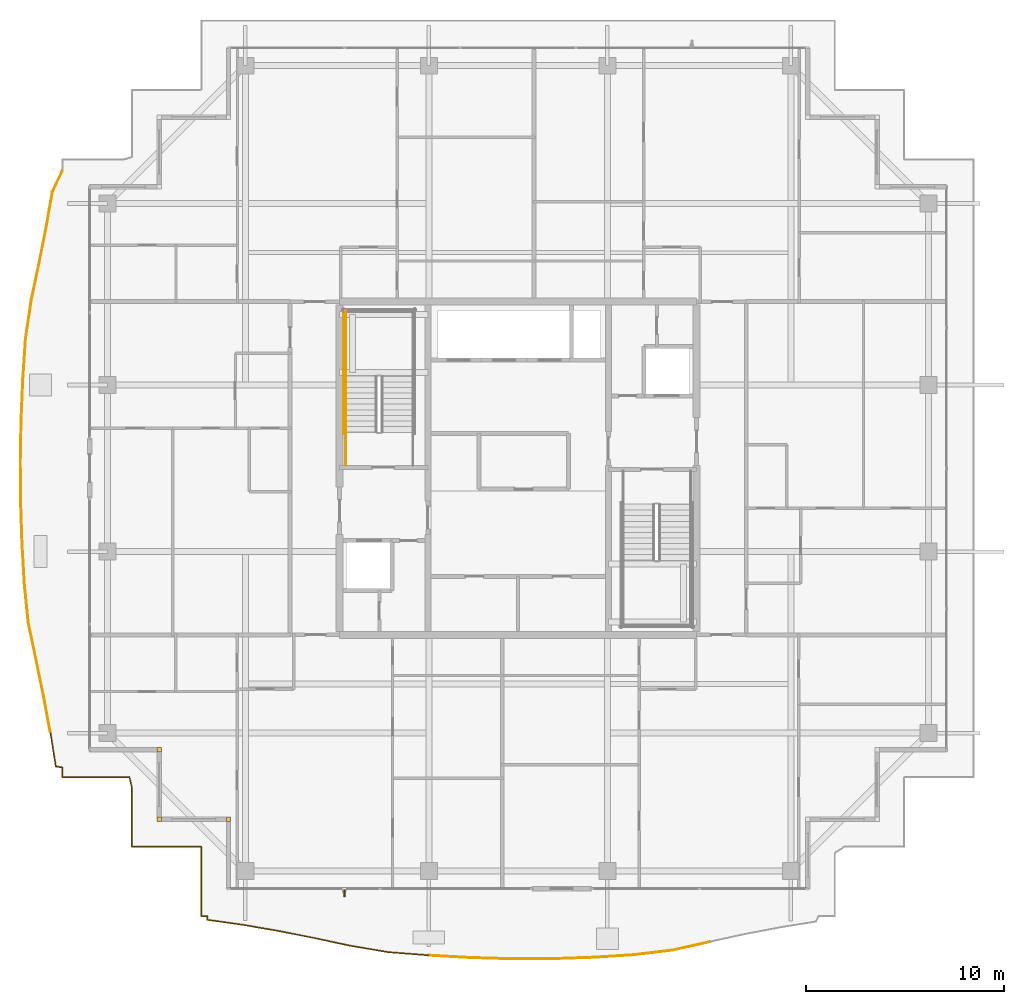
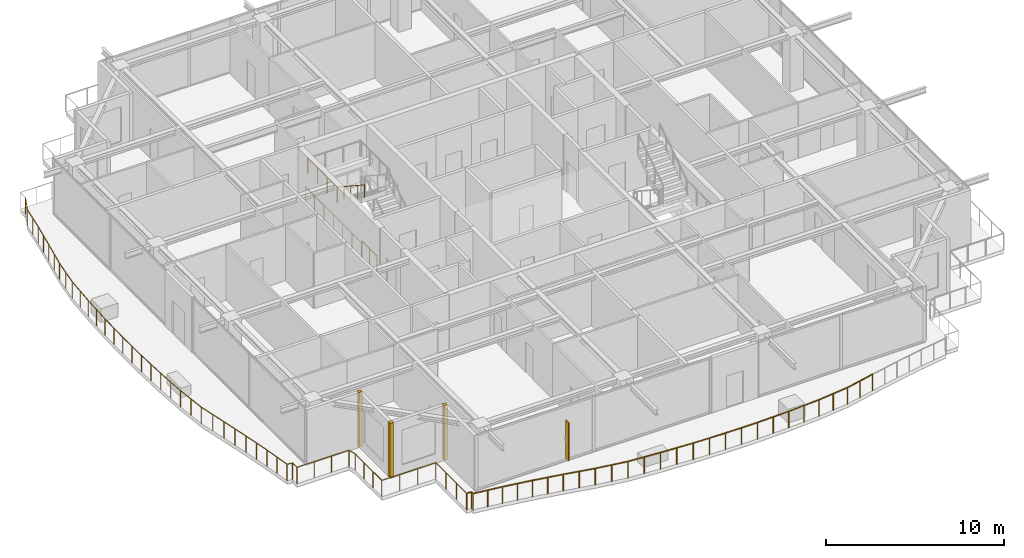
# One storey, part 32 of 36: 9 railings, 3 coverings, 1 shading device.
"""IFC4 building model written with IfcOpenShell, lengths in metres."""

import ifcopenshell
import ifcopenshell.guid

model = None  # the IFC model being written
_history = None  # IfcOwnerHistory: only IFC2X3 demands one
_inside = {}  # id of a spatial element -> (the spatial element, [elements in it])
_under = {}  # id of a project, library or spatial element -> (it, [spatial elements below it])
_declared = {}  # id of a project -> (the project, [libraries it declares])
_typed = {}  # id of a type object -> (the type object, [elements of that type])
_made_of = {}  # id of a material, layer set ... -> (it, [elements and type objects made of it])


def new_model(schema):
    """Start an empty IFC model of exactly this schema.

    Asked for "IFC4X3", IfcOpenShell would pick the latest addendum, in which some entities
    have other attributes; the version numbers below select the first issue.
    IFC2X3 requires an IfcOwnerHistory on every rooted entity: one is made here for all.
    """
    global model, _history
    if schema == "IFC4X3":
        model = ifcopenshell.file(schema_version=(4, 3, 0, 0))
    else:
        model = ifcopenshell.file(schema=schema)
    _inside.clear()
    _under.clear()
    _declared.clear()
    _typed.clear()
    _made_of.clear()
    _history = None
    if model.schema == "IFC2X3":
        org = make("IfcOrganization", Name="unknown")
        user = make(
            "IfcPersonAndOrganization",
            ThePerson=make("IfcPerson", FamilyName="unknown"),
            TheOrganization=org,
        )
        app = make(
            "IfcApplication",
            ApplicationDeveloper=org,
            Version="unknown",
            ApplicationFullName="unknown",
            ApplicationIdentifier="unknown",
        )
        _history = make(
            "IfcOwnerHistory",
            OwningUser=user,
            OwningApplication=app,
            ChangeAction="ADDED",
            CreationDate=0,
        )
    return model


def make(cls, **values):
    """One entity of the class cls with the attributes given. An attribute that is None is left unset."""
    return model.create_entity(
        cls, **{name: value for name, value in values.items() if value is not None}
    )


def rooted(cls, **values):
    """An entity with a GlobalId (a new one), such as an element, a storey or a relation."""
    return make(cls, GlobalId=ifcopenshell.guid.new(), OwnerHistory=_history, **values)


def si_unit(unit_type, name, prefix=None):
    """IfcSIUnit, for example si_unit("LENGTHUNIT", "METRE", prefix="MILLI")."""
    return make("IfcSIUnit", UnitType=unit_type, Prefix=prefix, Name=name)


def assignment(units):
    """IfcUnitAssignment: the units of a project."""
    return None if units is None else make("IfcUnitAssignment", Units=units)


def point(xyz):
    """IfcCartesianPoint."""
    return None if xyz is None else make("IfcCartesianPoint", Coordinates=xyz)


def direction(xyz):
    """IfcDirection."""
    return None if xyz is None else make("IfcDirection", DirectionRatios=xyz)


def frame(location, z_axis=None, x_axis=None):
    """IfcAxis2Placement3D, a coordinate frame: its origin and axes. An axis left out is left unset."""
    return make(
        "IfcAxis2Placement3D",
        Location=point(location),
        Axis=direction(z_axis),
        RefDirection=direction(x_axis),
    )


def frame_2d(location, x_axis=None):
    """IfcAxis2Placement2D, a coordinate frame in the plane: its origin and x axis."""
    return make(
        "IfcAxis2Placement2D", Location=point(location), RefDirection=direction(x_axis)
    )


def origin():
    """The frame at (0, 0, 0) with its axes left unset."""
    return frame((0.0, 0.0, 0.0))


def origin_2d():
    """The frame at (0, 0) in the plane with its x axis left unset."""
    return frame_2d((0.0, 0.0))


def place(relative_to, where):
    """IfcLocalPlacement: puts the frame where relative to a parent placement (None: the world)."""
    return make(
        "IfcLocalPlacement", PlacementRelTo=relative_to, RelativePlacement=where
    )


def context(
    kind, dimensions, precision=None, world=None, true_north=None, identifier=None
):
    """IfcGeometricRepresentationContext, for example the 3D "Model" context."""
    return make(
        "IfcGeometricRepresentationContext",
        ContextIdentifier=identifier,
        ContextType=kind,
        CoordinateSpaceDimension=dimensions,
        Precision=precision,
        WorldCoordinateSystem=world,
        TrueNorth=true_north,
    )


def subcontext(parent, identifier, kind, view, scale=None):
    """IfcGeometricRepresentationSubContext, for example "Body" below "Model"."""
    return make(
        "IfcGeometricRepresentationSubContext",
        ContextIdentifier=identifier,
        ContextType=kind,
        ParentContext=parent,
        TargetScale=scale,
        TargetView=view,
    )


def project(units=None, contexts=None):
    """IfcProject with its units and contexts."""
    return rooted(
        "IfcProject",
        Name="project",
        RepresentationContexts=contexts,
        UnitsInContext=assignment(units),
    )


def spatial(cls, under=None, at=None, **own):
    """A site, building, storey or space (cls), placed at a placement, below another one or the project."""
    s = rooted(cls, ObjectPlacement=at, **own)
    if under is not None:
        _under.setdefault(under.id(), (under, []))[1].append(s)
    return s


def profile(cls, at=None, kind="AREA", **sizes):
    """A parametric profile (cls). Its sizes go by their IFC names, for example OverallWidth=200.0."""
    return make(cls, ProfileType=kind, Position=at, **sizes)


def rectangle(**sizes):
    """IfcRectangleProfileDef."""
    return profile("IfcRectangleProfileDef", **sizes)


def circle(**sizes):
    """IfcCircleProfileDef."""
    return profile("IfcCircleProfileDef", **sizes)


def extrude(swept, where, along, depth):
    """IfcExtrudedAreaSolid: the profile swept, set in the frame where, extruded along a direction by depth."""
    return make(
        "IfcExtrudedAreaSolid",
        SweptArea=swept,
        Position=where,
        ExtrudedDirection=direction(along),
        Depth=depth,
    )


def shape(context_of_items, identifier, shape_type, items):
    """IfcShapeRepresentation: the items that make up one representation, for example the "Body"."""
    return make(
        "IfcShapeRepresentation",
        ContextOfItems=context_of_items,
        RepresentationIdentifier=identifier,
        RepresentationType=shape_type,
        Items=items,
    )


def source(mapping_origin, context_of_items, identifier, shape_type, items):
    """IfcRepresentationMap: a shape defined once, which mapped items show again and again."""
    return make(
        "IfcRepresentationMap",
        MappingOrigin=mapping_origin,
        MappedRepresentation=shape(context_of_items, identifier, shape_type, items),
    )


def transform(
    local_origin,
    x_axis=None,
    y_axis=None,
    z_axis=None,
    scale=None,
    scale2=None,
    scale3=None,
    uniform=True,
):
    """IfcCartesianTransformationOperator3D, or its non-uniform kind. x_axis, y_axis, z_axis: its Axis1, 2, 3."""
    if uniform:
        return make(
            "IfcCartesianTransformationOperator3D",
            Axis1=direction(x_axis),
            Axis2=direction(y_axis),
            LocalOrigin=point(local_origin),
            Scale=scale,
            Axis3=direction(z_axis),
        )
    return make(
        "IfcCartesianTransformationOperator3DnonUniform",
        Axis1=direction(x_axis),
        Axis2=direction(y_axis),
        LocalOrigin=point(local_origin),
        Scale=scale,
        Axis3=direction(z_axis),
        Scale2=scale2,
        Scale3=scale3,
    )


def mapped(mapping_source, mapping_target):
    """IfcMappedItem: shows the shape of a source again, moved by a transform."""
    return make(
        "IfcMappedItem", MappingSource=mapping_source, MappingTarget=mapping_target
    )


def material(Name=None, Category=None):
    """IfcMaterial."""
    return make("IfcMaterial", Name=Name, Category=Category)


def layer(
    of_material, thickness, ventilated=None, Name=None, Category=None, Priority=None
):
    """IfcMaterialLayer: one layer of a wall or slab, of a material (None: an air gap)."""
    return make(
        "IfcMaterialLayer",
        Material=of_material,
        LayerThickness=thickness,
        IsVentilated=ventilated,
        Name=Name,
        Category=Category,
        Priority=Priority,
    )


def layer_set(layers, Name=None):
    """IfcMaterialLayerSet."""
    return make("IfcMaterialLayerSet", MaterialLayers=layers, LayerSetName=Name)


def made_of(thing, what):
    """Note that an element or type object is made of a material, layer set ...; save() writes the relation."""
    if what is not None:
        _made_of.setdefault(what.id(), (what, []))[1].append(thing)
    return thing


def type_object(cls, material=None, **own):
    """A type object (cls), such as IfcWallType, which elements share."""
    return made_of(rooted(cls, **own), material)


def element(
    cls,
    number,
    at=None,
    inside=None,
    cuts=None,
    type_object=None,
    material=None,
    context=None,
    identifier="Body",
    shape_type=None,
    held_by="IfcProductDefinitionShape",
    body=None,
    shapes=None,
    **own,
):
    """One element of the class cls, such as IfcWall. Its Tag is "e" and its number.

    at: its placement. inside: the storey or other place that contains it. cuts: it is an
    opening in that element (IfcRelVoidsElement). A single representation is given by context,
    identifier, shape_type and body (its items); several are given by shapes. held_by: the class
    of the entity that holds the representations. save() writes the other relations.
    """
    e = rooted(cls, Tag="e%d" % number, ObjectPlacement=at, **own)
    if body is not None:
        shapes = [shape(context, identifier, shape_type, body)]
    if shapes is not None:
        e.Representation = make(held_by, Representations=shapes)
    if inside is not None:
        _inside.setdefault(inside.id(), (inside, []))[1].append(e)
    if cuts is not None:
        rooted(
            "IfcRelVoidsElement", RelatingBuildingElement=cuts, RelatedOpeningElement=e
        )
    if type_object is not None:
        _typed.setdefault(type_object.id(), (type_object, []))[1].append(e)
    return made_of(e, material)


def aggregate(whole, parts):
    """IfcRelAggregates: a whole, such as a stair, and the parts it consists of."""
    return rooted("IfcRelAggregates", RelatingObject=whole, RelatedObjects=parts)


def save(model, path):
    """Write the relations noted so far, then the file.

    IfcRelAggregates (storeys below a building ...), IfcRelContainedInSpatialStructure (elements
    in a storey), IfcRelDefinesByType, IfcRelAssociatesMaterial and IfcRelDeclares: one each for
    every whole, place, type object, material and project.
    """
    for whole, parts in _under.values():
        aggregate(whole, parts)
    for where, things in _inside.values():
        rooted(
            "IfcRelContainedInSpatialStructure",
            RelatedElements=things,
            RelatingStructure=where,
        )
    for kind, things in _typed.values():
        rooted("IfcRelDefinesByType", RelatedObjects=things, RelatingType=kind)
    for what, things in _made_of.values():
        rooted("IfcRelAssociatesMaterial", RelatedObjects=things, RelatingMaterial=what)
    for by, libraries in _declared.values():
        rooted("IfcRelDeclares", RelatingContext=by, RelatedDefinitions=libraries)
    model.write(path)


model = new_model("IFC4")

# Units and contexts
model_context = context("Model", 3, precision=1e-05, world=origin(), true_north=direction((0.0, 1.0)))
body_context = subcontext(model_context, "Body", "Model", "MODEL_VIEW")
ifc_project = project(units=[si_unit("LENGTHUNIT", "METRE"), si_unit("AREAUNIT", "SQUARE_METRE"), si_unit("VOLUMEUNIT", "CUBIC_METRE"), si_unit("PLANEANGLEUNIT", "RADIAN"), si_unit("MASSUNIT", "GRAM", prefix="KILO")], contexts=[model_context])

# Site, building, storey
site_placement = place(None, origin())
site = spatial("IfcSite", under=ifc_project, at=site_placement, CompositionType="ELEMENT")
building_placement = place(site_placement, origin())
building = spatial("IfcBuilding", under=site, at=building_placement, Name="Serunith Strait Residences", CompositionType="ELEMENT")
storey_placement = place(building_placement, frame((0.0, 0.0, 338.0)))
storey = spatial("IfcBuildingStorey", under=building, at=storey_placement, Name="L84", CompositionType="ELEMENT", Elevation=338.0)

# Railings
ifc_material_1 = material(Name="Stainless Steel & Laminated Glass Balustrade", Category="steel")
railing_type_1 = type_object("IfcRailingType", Name="RLG-BALC-1150", PredefinedType="BALUSTRADE", material=ifc_material_1)
railing_1_placement = place(storey_placement, frame((16.419921875, 2.6201171875, -0.050048828125)))
element("IfcRailing", 1, at=railing_1_placement, inside=storey, type_object=railing_type_1, Name="L84 Swirling Balcony Perimeter Balustrade 1", PredefinedType="BALUSTRADE", context=body_context, shape_type="SweptSolid", body=[
    extrude(circle(Radius=0.02392578125, at=origin_2d()), frame((0.0, 0.001953125, 1.1259765625), z_axis=(0.0, 1.0, 0.0), x_axis=(-1.0, 0.0, 0.0)), (0.0, 0.0, 1.0), 3.49609375),
    extrude(circle(Radius=0.02392578125, at=origin_2d()), frame((-0.001953125, 3.5, 1.1259765625), z_axis=(-1.0, 0.0, 0.0), x_axis=(0.0, -1.0, 0.0)), (0.0, 0.0, 1.0), 3.49609375),
    extrude(circle(Radius=0.02392578125, at=origin_2d()), frame((-3.5, 3.501953125, 1.1259765625), z_axis=(0.0, 1.0, 0.0), x_axis=(-1.0, 0.0, 0.0)), (0.0, 0.0, 1.0), 2.99853515625),
    extrude(circle(Radius=0.02392578125, at=origin_2d()), frame((-3.50048828125, 6.50439453125, 1.1259765625), z_axis=(-0.234671616737, 0.972074705101, 0.0), x_axis=(-0.972074705101, -0.234671616737, 0.0)), (0.0, 0.0, 1.0), 0.5078125),
    extrude(circle(Radius=0.02392578125, at=origin_2d()), frame((-3.6220703125, 7.0, 1.1259765625), z_axis=(-1.0, 0.0, 0.0), x_axis=(0.0, -1.0, 0.0)), (0.0, 0.0, 1.0), 3.3759765625),
    extrude(circle(Radius=0.02392578125, at=origin_2d()), frame((-7.0, 7.001953125, 1.1259765625), z_axis=(0.0, 1.0, 0.0), x_axis=(-1.0, 0.0, 0.0)), (0.0, 0.0, 1.0), 0.489501953125),
    extrude(circle(Radius=0.02392578125, at=origin_2d()), frame((-7.001953125, 7.49365234375, 1.1259765625), z_axis=(-0.989343719275, 0.14559878135, 0.0), x_axis=(-0.14559878135, -0.989343719275, 0.0)), (0.0, 0.0, 1.0), 0.331298828125),
    extrude(circle(Radius=0.02392578125, at=origin_2d()), frame((-7.33203125, 7.544189453125, 1.1259765625), z_axis=(-0.156074665406, 0.987745260084, 0.0), x_axis=(-0.987745260084, -0.156074665406, 0.0)), (0.0, 0.0, 1.0), 1.785400390625),
    extrude(circle(Radius=0.02099609375, at=origin_2d()), origin(), (0.0, 0.0, 1.0), 1.099853515625),
    extrude(circle(Radius=0.02099609375, at=origin_2d()), frame((0.0, 1.166748046875, 0.0)), (0.0, 0.0, 1.0), 1.099853515625),
    extrude(circle(Radius=0.02099609375, at=origin_2d()), frame((0.0, 2.333251953125, 0.0)), (0.0, 0.0, 1.0), 1.099853515625),
    extrude(circle(Radius=0.02099609375, at=origin_2d()), frame((0.0, 3.5, 0.0)), (0.0, 0.0, 1.0), 1.099853515625),
    extrude(circle(Radius=0.02099609375, at=origin_2d()), frame((-1.166748046875, 3.5, 0.0)), (0.0, 0.0, 1.0), 1.099853515625),
    extrude(circle(Radius=0.02099609375, at=origin_2d()), frame((-2.333251953125, 3.5, 0.0)), (0.0, 0.0, 1.0), 1.099853515625),
    extrude(circle(Radius=0.02099609375, at=origin_2d()), frame((-3.5, 3.5, 0.0)), (0.0, 0.0, 1.0), 1.099853515625),
    extrude(circle(Radius=0.02099609375, at=origin_2d()), frame((-3.5, 4.500732421875, 0.0)), (0.0, 0.0, 1.0), 1.099853515625),
    extrude(circle(Radius=0.02099609375, at=origin_2d()), frame((-3.5, 5.501708984375, 0.0)), (0.0, 0.0, 1.0), 1.099853515625),
    extrude(circle(Radius=0.02099609375, at=origin_2d()), frame((-3.5, 6.50244140625, 0.0)), (0.0, 0.0, 1.0), 1.099853515625),
    extrude(circle(Radius=0.02099609375, at=origin_2d()), frame((-3.6201171875, 7.0, 0.0)), (0.0, 0.0, 1.0), 1.099853515625),
    extrude(circle(Radius=0.02099609375, at=origin_2d()), frame((-4.746826171875, 7.0, 0.0)), (0.0, 0.0, 1.0), 1.099853515625),
    extrude(circle(Radius=0.02099609375, at=origin_2d()), frame((-5.873291015625, 7.0, 0.0)), (0.0, 0.0, 1.0), 1.099853515625),
    extrude(circle(Radius=0.02099609375, at=origin_2d()), frame((-7.0, 7.0, 0.0)), (0.0, 0.0, 1.0), 1.099853515625),
    extrude(circle(Radius=0.02099609375, at=origin_2d()), frame((-7.0, 7.493408203125, 0.0)), (0.0, 0.0, 1.0), 1.099853515625),
    extrude(circle(Radius=0.02099609375, at=origin_2d()), frame((-7.331787109375, 7.542236328125, 0.0)), (0.0, 0.0, 1.0), 1.099853515625),
    extrude(circle(Radius=0.02099609375, at=origin_2d()), frame((-7.471435546875, 8.426025390625, 0.0)), (0.0, 0.0, 1.0), 1.099853515625),
    extrude(circle(Radius=0.02099609375, at=origin_2d()), frame((-7.611083984375, 9.309814453125, 0.0)), (0.0, 0.0, 1.0), 1.099853515625),
])
railing_2_placement = place(storey_placement, frame((8.808837890625, 11.929931640625, -0.050048828125)))
element("IfcRailing", 2, at=railing_2_placement, inside=storey, type_object=railing_type_1, Name="L84 Swirling Balcony Perimeter Balustrade 2", PredefinedType="BALUSTRADE", context=body_context, shape_type="SweptSolid", body=[
    extrude(circle(Radius=0.02392578125, at=origin_2d()), frame((-0.000244140625, 0.001953125, 1.1259765625), z_axis=(-0.182829465065, 0.983144641802, 0.0), x_axis=(-0.983144641802, -0.182829465065, 0.0)), (0.0, 0.0, 1.0), 1.814697265625),
    extrude(circle(Radius=0.02392578125, at=origin_2d()), frame((-0.3330078125, 1.7900390625, 1.1259765625), z_axis=(-0.201150365984, 0.979560376018, 0.0), x_axis=(-0.979560376018, -0.201150365984, 0.0)), (0.0, 0.0, 1.0), 1.8603515625),
    extrude(circle(Radius=0.02392578125, at=origin_2d()), frame((-0.7080078125, 3.6162109375, 1.1259765625), z_axis=(-0.204775470098, 0.978808973624, 0.0), x_axis=(-0.978808973624, -0.204775470098, 0.0)), (0.0, 0.0, 1.0), 1.919189453125),
    extrude(circle(Radius=0.02392578125, at=origin_2d()), frame((-1.1015625, 5.49853515625, 1.1259765625), z_axis=(-0.099865899713, 0.995000905565, 0.0), x_axis=(-0.995000905565, -0.099865899713, 0.0)), (0.0, 0.0, 1.0), 1.998291015625),
    extrude(circle(Radius=0.02392578125, at=origin_2d()), frame((-1.30126953125, 7.49072265625, 1.1259765625), z_axis=(-0.056576301143, 0.998398278318, 0.0), x_axis=(-0.998398278318, -0.056576301143, 0.0)), (0.0, 0.0, 1.0), 2.037109375),
    extrude(circle(Radius=0.02392578125, at=origin_2d()), frame((-1.416748046875, 9.528564453125, 1.1259765625), z_axis=(-0.03281001008, 0.999461606686, 0.0), x_axis=(-0.999461606686, -0.03281001008, 0.0)), (0.0, 0.0, 1.0), 2.05712890625),
    extrude(circle(Radius=0.02392578125, at=origin_2d()), frame((-1.484375, 11.588623046875, 1.1259765625), z_axis=(-0.007428164353, 0.999972410807, 0.0), x_axis=(-0.999972410807, -0.007428164353, 0.0)), (0.0, 0.0, 1.0), 2.066650390625),
    extrude(circle(Radius=0.02099609375, at=origin_2d()), origin(), (0.0, 0.0, 1.0), 1.099853515625),
    extrude(circle(Radius=0.02099609375, at=origin_2d()), frame((-0.166259765625, 0.89404296875, 0.0)), (0.0, 0.0, 1.0), 1.099853515625),
    extrude(circle(Radius=0.02099609375, at=origin_2d()), frame((-0.33251953125, 1.7880859375, 0.0)), (0.0, 0.0, 1.0), 1.099853515625),
    extrude(circle(Radius=0.02099609375, at=origin_2d()), frame((-0.52001953125, 2.701171875, 0.0)), (0.0, 0.0, 1.0), 1.099853515625),
    extrude(circle(Radius=0.02099609375, at=origin_2d()), frame((-0.70751953125, 3.6142578125, 0.0)), (0.0, 0.0, 1.0), 1.099853515625),
    extrude(circle(Radius=0.02099609375, at=origin_2d()), frame((-0.904296875, 4.555419921875, 0.0)), (0.0, 0.0, 1.0), 1.099853515625),
    extrude(circle(Radius=0.02099609375, at=origin_2d()), frame((-1.101318359375, 5.49658203125, 0.0)), (0.0, 0.0, 1.0), 1.099853515625),
    extrude(circle(Radius=0.02099609375, at=origin_2d()), frame((-1.201171875, 6.49267578125, 0.0)), (0.0, 0.0, 1.0), 1.099853515625),
    extrude(circle(Radius=0.02099609375, at=origin_2d()), frame((-1.30126953125, 7.48876953125, 0.0)), (0.0, 0.0, 1.0), 1.099853515625),
    extrude(circle(Radius=0.02099609375, at=origin_2d()), frame((-1.35888671875, 8.5078125, 0.0)), (0.0, 0.0, 1.0), 1.099853515625),
    extrude(circle(Radius=0.02099609375, at=origin_2d()), frame((-1.416748046875, 9.526611328125, 0.0)), (0.0, 0.0, 1.0), 1.099853515625),
    extrude(circle(Radius=0.02099609375, at=origin_2d()), frame((-1.45068359375, 10.556640625, 0.0)), (0.0, 0.0, 1.0), 1.099853515625),
    extrude(circle(Radius=0.02099609375, at=origin_2d()), frame((-1.484375, 11.586669921875, 0.0)), (0.0, 0.0, 1.0), 1.099853515625),
    extrude(circle(Radius=0.02099609375, at=origin_2d()), frame((-1.4921875, 12.6220703125, 0.0)), (0.0, 0.0, 1.0), 1.099853515625),
    extrude(circle(Radius=0.02099609375, at=origin_2d()), frame((-1.499755859375, 13.6572265625, 0.0)), (0.0, 0.0, 1.0), 1.099853515625),
])
railing_3_placement = place(storey_placement, frame((7.30908203125, 25.587158203125, -0.050048828125)))
element("IfcRailing", 3, at=railing_3_placement, inside=storey, type_object=railing_type_1, Name="L84 Swirling Balcony Perimeter Balustrade 3", PredefinedType="BALUSTRADE", context=body_context, shape_type="SweptSolid", body=[
    extrude(circle(Radius=0.02392578125, at=origin_2d()), frame((0.0, 0.001953125, 1.1259765625), z_axis=(0.018296818521, 0.999832599204, 0.0), x_axis=(-0.999832599204, 0.018296818521, 0.0)), (0.0, 0.0, 1.0), 2.064208984375),
    extrude(circle(Radius=0.02392578125, at=origin_2d()), frame((0.037841796875, 2.06982421875, 1.1259765625), z_axis=(0.04290087302, 0.999079333734, 0.0), x_axis=(-0.999079333734, 0.04290087302, 0.0)), (0.0, 0.0, 1.0), 2.05029296875),
    extrude(circle(Radius=0.02392578125, at=origin_2d()), frame((0.126220703125, 4.122314453125, 1.1259765625), z_axis=(0.065162418282, 0.99787467111, 0.0), x_axis=(-0.99787467111, 0.065162418282, 0.0)), (0.0, 0.0, 1.0), 2.026611328125),
    extrude(circle(Radius=0.02392578125, at=origin_2d()), frame((0.258544921875, 6.148681640625, 1.1259765625), z_axis=(0.148528234096, 0.988908167464, 0.0), x_axis=(-0.988908167464, 0.148528234096, 0.0)), (0.0, 0.0, 1.0), 1.966796875),
    extrude(circle(Radius=0.02392578125, at=origin_2d()), frame((0.551513671875, 8.09765625, 1.1259765625), z_axis=(0.204857427418, 0.978791823848, 0.0), x_axis=(-0.978791823848, 0.204857427418, 0.0)), (0.0, 0.0, 1.0), 1.895751953125),
    extrude(circle(Radius=0.02392578125, at=origin_2d()), frame((0.940673828125, 9.95703125, 1.1259765625), z_axis=(0.194996623751, 0.980803913494, 0.0), x_axis=(-0.980803913494, 0.194996623751, 0.0)), (0.0, 0.0, 1.0), 1.841552734375),
    extrude(circle(Radius=0.02392578125, at=origin_2d()), frame((1.30029296875, 11.76708984375, 1.1259765625), z_axis=(0.172590146647, 0.984993726518, 0.0), x_axis=(-0.984993726518, 0.172590146647, 0.0)), (0.0, 0.0, 1.0), 1.802490234375),
    extrude(circle(Radius=0.02392578125, at=origin_2d()), frame((1.612548828125, 13.546142578125, 1.1259765625), z_axis=(0.424795915091, 0.905289141944, 0.0), x_axis=(-0.905289141944, 0.424795915091, 0.0)), (0.0, 0.0, 1.0), 1.170654296875),
    extrude(circle(Radius=0.02099609375, at=origin_2d()), origin(), (0.0, 0.0, 1.0), 1.099853515625),
    extrude(circle(Radius=0.02099609375, at=origin_2d()), frame((0.01904296875, 1.033935546875, 0.0)), (0.0, 0.0, 1.0), 1.099853515625),
    extrude(circle(Radius=0.02099609375, at=origin_2d()), frame((0.037841796875, 2.06787109375, 0.0)), (0.0, 0.0, 1.0), 1.099853515625),
    extrude(circle(Radius=0.02099609375, at=origin_2d()), frame((0.08203125, 3.09423828125, 0.0)), (0.0, 0.0, 1.0), 1.099853515625),
    extrude(circle(Radius=0.02099609375, at=origin_2d()), frame((0.1259765625, 4.120361328125, 0.0)), (0.0, 0.0, 1.0), 1.099853515625),
    extrude(circle(Radius=0.02099609375, at=origin_2d()), frame((0.192138671875, 5.133544921875, 0.0)), (0.0, 0.0, 1.0), 1.099853515625),
    extrude(circle(Radius=0.02099609375, at=origin_2d()), frame((0.25830078125, 6.146728515625, 0.0)), (0.0, 0.0, 1.0), 1.099853515625),
    extrude(circle(Radius=0.02099609375, at=origin_2d()), frame((0.40478515625, 7.12109375, 0.0)), (0.0, 0.0, 1.0), 1.099853515625),
    extrude(circle(Radius=0.02099609375, at=origin_2d()), frame((0.551025390625, 8.095703125, 0.0)), (0.0, 0.0, 1.0), 1.099853515625),
    extrude(circle(Radius=0.02099609375, at=origin_2d()), frame((0.74560546875, 9.025390625, 0.0)), (0.0, 0.0, 1.0), 1.099853515625),
    extrude(circle(Radius=0.02099609375, at=origin_2d()), frame((0.940185546875, 9.955078125, 0.0)), (0.0, 0.0, 1.0), 1.099853515625),
    extrude(circle(Radius=0.02099609375, at=origin_2d()), frame((1.1201171875, 10.860107421875, 0.0)), (0.0, 0.0, 1.0), 1.099853515625),
    extrude(circle(Radius=0.02099609375, at=origin_2d()), frame((1.300048828125, 11.76513671875, 0.0)), (0.0, 0.0, 1.0), 1.099853515625),
    extrude(circle(Radius=0.02099609375, at=origin_2d()), frame((1.4560546875, 12.65478515625, 0.0)), (0.0, 0.0, 1.0), 1.099853515625),
    extrude(circle(Radius=0.02099609375, at=origin_2d()), frame((1.61181640625, 13.54443359375, 0.0)), (0.0, 0.0, 1.0), 1.099853515625),
    extrude(circle(Radius=0.02099609375, at=origin_2d()), frame((2.11083984375, 14.60791015625, 0.0)), (0.0, 0.0, 1.0), 1.099853515625),
])
railing_4_placement = place(storey_placement, frame((42.067626953125, 1.321533203125, -0.050048828125)))
element("IfcRailing", 4, at=railing_4_placement, inside=storey, type_object=railing_type_1, Name="L84 Swirling Balcony Perimeter Balustrade 7", PredefinedType="BALUSTRADE", context=body_context, shape_type="SweptSolid", body=[
    extrude(circle(Radius=0.02392578125, at=origin_2d()), frame((-0.001953125, -0.00048828125, 1.1259765625), z_axis=(-0.975796593844, -0.218680148718, 0.0), x_axis=(0.218680148718, -0.975796593844, 0.0)), (0.0, 0.0, 1.0), 1.916259765625),
    extrude(circle(Radius=0.02392578125, at=origin_2d()), frame((-1.875732421875, -0.420166015625, 1.1259765625), z_axis=(-0.992949364336, -0.118539275624, 0.0), x_axis=(0.118539275624, -0.992949364336, 0.0)), (0.0, 0.0, 1.0), 1.997802734375),
    extrude(circle(Radius=0.02392578125, at=origin_2d()), frame((-3.863525390625, -0.657470703125, 1.1259765625), z_axis=(-0.998018110867, -0.062927342075, 0.0), x_axis=(0.062927342075, -0.998018110867, 0.0)), (0.0, 0.0, 1.0), 2.04443359375),
    extrude(circle(Radius=0.02392578125, at=origin_2d()), frame((-5.907958984375, -0.7861328125, 1.1259765625), z_axis=(-0.999459075505, -0.032887024657, 0.0), x_axis=(0.032887024657, -0.999459075505, 0.0)), (0.0, 0.0, 1.0), 2.067138671875),
    extrude(circle(Radius=0.02392578125, at=origin_2d()), frame((-7.97802734375, -0.854248046875, 1.1259765625), z_axis=(-0.999999442337, -0.001056089531, 0.0), x_axis=(0.001056089531, -0.999999442337, 0.0)), (0.0, 0.0, 1.0), 2.07666015625),
    extrude(circle(Radius=0.02392578125, at=origin_2d()), frame((-10.05859375, -0.8564453125, 1.1259765625), z_axis=(-0.999563984328, 0.029526957758, 0.0), x_axis=(-0.029526957758, -0.999563984328, 0.0)), (0.0, 0.0, 1.0), 2.0712890625),
    extrude(circle(Radius=0.02392578125, at=origin_2d()), frame((-12.133056640625, -0.795166015625, 1.1259765625), z_axis=(-0.998410298263, 0.056363785557, 0.0), x_axis=(-0.056363785557, -0.998410298263, 0.0)), (0.0, 0.0, 1.0), 2.053466796875),
    extrude(circle(Radius=0.02099609375, at=origin_2d()), origin(), (0.0, 0.0, 1.0), 1.099853515625),
    extrude(circle(Radius=0.02099609375, at=origin_2d()), frame((-0.93701171875, -0.2099609375, 0.0)), (0.0, 0.0, 1.0), 1.099853515625),
    extrude(circle(Radius=0.02099609375, at=origin_2d()), frame((-1.873779296875, -0.419921875, 0.0)), (0.0, 0.0, 1.0), 1.099853515625),
    extrude(circle(Radius=0.02099609375, at=origin_2d()), frame((-2.86767578125, -0.53857421875, 0.0)), (0.0, 0.0, 1.0), 1.099853515625),
    extrude(circle(Radius=0.02099609375, at=origin_2d()), frame((-3.861572265625, -0.6572265625, 0.0)), (0.0, 0.0, 1.0), 1.099853515625),
    extrude(circle(Radius=0.02099609375, at=origin_2d()), frame((-4.8837890625, -0.7216796875, 0.0)), (0.0, 0.0, 1.0), 1.099853515625),
    extrude(circle(Radius=0.02099609375, at=origin_2d()), frame((-5.906005859375, -0.7861328125, 0.0)), (0.0, 0.0, 1.0), 1.099853515625),
    extrude(circle(Radius=0.02099609375, at=origin_2d()), frame((-6.94091796875, -0.8203125, 0.0)), (0.0, 0.0, 1.0), 1.099853515625),
    extrude(circle(Radius=0.02099609375, at=origin_2d()), frame((-7.97607421875, -0.854248046875, 0.0)), (0.0, 0.0, 1.0), 1.099853515625),
    extrude(circle(Radius=0.02099609375, at=origin_2d()), frame((-9.016357421875, -0.85546875, 0.0)), (0.0, 0.0, 1.0), 1.099853515625),
    extrude(circle(Radius=0.02099609375, at=origin_2d()), frame((-10.056640625, -0.8564453125, 0.0)), (0.0, 0.0, 1.0), 1.099853515625),
    extrude(circle(Radius=0.02099609375, at=origin_2d()), frame((-11.09375, -0.82568359375, 0.0)), (0.0, 0.0, 1.0), 1.099853515625),
    extrude(circle(Radius=0.02099609375, at=origin_2d()), frame((-12.131103515625, -0.795166015625, 0.0)), (0.0, 0.0, 1.0), 1.099853515625),
    extrude(circle(Radius=0.02099609375, at=origin_2d()), frame((-13.158203125, -0.7373046875, 0.0)), (0.0, 0.0, 1.0), 1.099853515625),
    extrude(circle(Radius=0.02099609375, at=origin_2d()), frame((-14.185302734375, -0.67919921875, 0.0)), (0.0, 0.0, 1.0), 1.099853515625),
])
railing_5_placement = place(storey_placement, frame((27.88232421875, 0.642333984375, -0.050048828125)))
element("IfcRailing", 5, at=railing_5_placement, inside=storey, type_object=railing_type_1, Name="L84 Swirling Balcony Perimeter Balustrade 8", PredefinedType="BALUSTRADE", context=body_context, shape_type="SweptSolid", body=[
    extrude(circle(Radius=0.02392578125, at=origin_2d()), frame((-0.001953125, 0.000244140625, 1.1259765625), z_axis=(-0.996966809895, 0.077827886825, 0.0), x_axis=(-0.077827886825, -0.996966809895, 0.0)), (0.0, 0.0, 1.0), 2.025634765625),
    extrude(circle(Radius=0.02392578125, at=origin_2d()), frame((-2.025390625, 0.158203125, 1.1259765625), z_axis=(-0.986103588103, 0.166131615082, 0.0), x_axis=(-0.166131615082, -0.986103588103, 0.0)), (0.0, 0.0, 1.0), 1.960693359375),
    extrude(circle(Radius=0.02392578125, at=origin_2d()), frame((-3.962890625, 0.48486328125, 1.1259765625), z_axis=(-0.977817501997, 0.209458666062, 0.0), x_axis=(-0.209458666062, -0.977817501997, 0.0)), (0.0, 0.0, 1.0), 1.89013671875),
    extrude(circle(Radius=0.02392578125, at=origin_2d()), frame((-5.81494140625, 0.881591796875, 1.1259765625), z_axis=(-0.980936180604, 0.194330156131, 0.0), x_axis=(-0.194330156131, -0.980936180604, 0.0)), (0.0, 0.0, 1.0), 1.83642578125),
    extrude(circle(Radius=0.02392578125, at=origin_2d()), frame((-7.620361328125, 1.239013671875, 1.1259765625), z_axis=(-0.985719989355, 0.168392703482, 0.0), x_axis=(-0.168392703482, -0.985719989355, 0.0)), (0.0, 0.0, 1.0), 1.799560546875),
    extrude(circle(Radius=0.02392578125, at=origin_2d()), frame((-9.398193359375, 1.542724609375, 1.1259765625), z_axis=(-0.990291662119, 0.139005121982, 0.0), x_axis=(-0.139005121982, -0.990291662119, 0.0)), (0.0, 0.0, 1.0), 1.77880859375),
    extrude(circle(Radius=0.02392578125, at=origin_2d()), frame((-11.16162109375, 1.792236328125, 1.1259765625), z_axis=(0.007812261592, 0.999969483819, 0.0), x_axis=(-0.999969483819, 0.007812261592, 0.0)), (0.0, 0.0, 1.0), 0.18359375),
    extrude(circle(Radius=0.02392578125, at=origin_2d()), frame((-11.162109375, 1.977783203125, 1.1259765625), z_axis=(-1.0, 0.0, 0.0), x_axis=(0.0, -1.0, 0.0)), (0.0, 0.0, 1.0), 0.29833984375),
    extrude(circle(Radius=0.02099609375, at=origin_2d()), origin(), (0.0, 0.0, 1.0), 1.099853515625),
    extrude(circle(Radius=0.02099609375, at=origin_2d()), frame((-1.01171875, 0.0791015625, 0.0)), (0.0, 0.0, 1.0), 1.099853515625),
    extrude(circle(Radius=0.02099609375, at=origin_2d()), frame((-2.0234375, 0.157958984375, 0.0)), (0.0, 0.0, 1.0), 1.099853515625),
    extrude(circle(Radius=0.02099609375, at=origin_2d()), frame((-2.9921875, 0.3212890625, 0.0)), (0.0, 0.0, 1.0), 1.099853515625),
    extrude(circle(Radius=0.02099609375, at=origin_2d()), frame((-3.9609375, 0.484375, 0.0)), (0.0, 0.0, 1.0), 1.099853515625),
    extrude(circle(Radius=0.02099609375, at=origin_2d()), frame((-4.886962890625, 0.6826171875, 0.0)), (0.0, 0.0, 1.0), 1.099853515625),
    extrude(circle(Radius=0.02099609375, at=origin_2d()), frame((-5.81298828125, 0.881103515625, 0.0)), (0.0, 0.0, 1.0), 1.099853515625),
    extrude(circle(Radius=0.02099609375, at=origin_2d()), frame((-6.7158203125, 1.06005859375, 0.0)), (0.0, 0.0, 1.0), 1.099853515625),
    extrude(circle(Radius=0.02099609375, at=origin_2d()), frame((-7.618408203125, 1.23876953125, 0.0)), (0.0, 0.0, 1.0), 1.099853515625),
    extrude(circle(Radius=0.02099609375, at=origin_2d()), frame((-8.50732421875, 1.390625, 0.0)), (0.0, 0.0, 1.0), 1.099853515625),
    extrude(circle(Radius=0.02099609375, at=origin_2d()), frame((-9.396240234375, 1.54248046875, 0.0)), (0.0, 0.0, 1.0), 1.099853515625),
    extrude(circle(Radius=0.02099609375, at=origin_2d()), frame((-10.27880859375, 1.66650390625, 0.0)), (0.0, 0.0, 1.0), 1.099853515625),
    extrude(circle(Radius=0.02099609375, at=origin_2d()), frame((-11.16162109375, 1.790283203125, 0.0)), (0.0, 0.0, 1.0), 1.099853515625),
    extrude(circle(Radius=0.02099609375, at=origin_2d()), frame((-11.16015625, 1.977783203125, 0.0)), (0.0, 0.0, 1.0), 1.099853515625),
    extrude(circle(Radius=0.02099609375, at=origin_2d()), frame((-11.46240234375, 1.977783203125, 0.0)), (0.0, 0.0, 1.0), 1.099853515625),
])
ifc_material_2 = material(Name="Brushed stainless steel 316L", Category="steel")
railing_type_2 = type_object("IfcRailingType", Name="RLG-STAIR-GUARD", PredefinedType="BALUSTRADE", material=ifc_material_2)
railing_6_placement = place(storey_placement, frame((23.699951171875, 29.830078125, 2.02490234375)))
element("IfcRailing", 6, at=railing_6_placement, inside=storey, type_object=railing_type_2, Name="L84 ST-1 stair guard 4", PredefinedType="BALUSTRADE", context=body_context, shape_type="SweptSolid", body=[
    extrude(circle(Radius=0.02392578125, at=origin_2d()), frame((0.0, 0.001953125, 1.076171875), z_axis=(0.0, 1.0, 0.0), x_axis=(-1.0, 0.0, 0.0)), (0.0, 0.0, 1.0), 3.31591796875),
    extrude(circle(Radius=0.02099609375, at=origin_2d()), origin(), (0.0, 0.0, 1.0), 1.050048828125),
    extrude(circle(Radius=0.02099609375, at=origin_2d()), frame((0.0, 1.106689453125, 0.0)), (0.0, 0.0, 1.0), 1.050048828125),
    extrude(circle(Radius=0.02099609375, at=origin_2d()), frame((0.0, 2.213134765625, 0.0)), (0.0, 0.0, 1.0), 1.050048828125),
    extrude(circle(Radius=0.02099609375, at=origin_2d()), frame((0.0, 3.31982421875, 0.0)), (0.0, 0.0, 1.0), 1.050048828125),
])
railing_7_placement = place(storey_placement, frame((23.699951171875, 25.35009765625, 0.0)))
element("IfcRailing", 7, at=railing_7_placement, inside=storey, type_object=railing_type_2, Name="L84 ST-1 stair guard 9", PredefinedType="BALUSTRADE", context=body_context, shape_type="SweptSolid", body=[
    extrude(circle(Radius=0.02392578125, at=origin_2d()), frame((0.0, 0.001953125, 1.076171875), z_axis=(0.0, 1.0, 0.0), x_axis=(-1.0, 0.0, 0.0)), (0.0, 0.0, 1.0), 1.676025390625),
    extrude(circle(Radius=0.02099609375, at=origin_2d()), origin(), (0.0, 0.0, 1.0), 1.050048828125),
    extrude(circle(Radius=0.02099609375, at=origin_2d()), frame((0.0, 0.83984375, 0.0)), (0.0, 0.0, 1.0), 1.050048828125),
    extrude(circle(Radius=0.02099609375, at=origin_2d()), frame((0.0, 1.679931640625, 0.0)), (0.0, 0.0, 1.0), 1.050048828125),
])
railing_8_placement = place(storey_placement, frame((23.60009765625, 26.929931640625, 0.0)))
element("IfcRailing", 8, at=railing_8_placement, inside=storey, type_object=railing_type_2, Name="L84 ST-1 stair guard 11", PredefinedType="BALUSTRADE", context=body_context, shape_type="SweptSolid", body=[
    extrude(circle(Radius=0.02392578125, at=origin_2d()), frame((0.0, 0.001953125, 1.076171875), z_axis=(0.0, 1.0, 0.0), x_axis=(-1.0, 0.0, 0.0)), (0.0, 0.0, 1.0), 6.316162109375),
    extrude(circle(Radius=0.02099609375, at=origin_2d()), origin(), (0.0, 0.0, 1.0), 1.050048828125),
    extrude(circle(Radius=0.02099609375, at=origin_2d()), frame((0.0, 1.05322265625, 0.0)), (0.0, 0.0, 1.0), 1.050048828125),
    extrude(circle(Radius=0.02099609375, at=origin_2d()), frame((0.0, 2.106689453125, 0.0)), (0.0, 0.0, 1.0), 1.050048828125),
    extrude(circle(Radius=0.02099609375, at=origin_2d()), frame((0.0, 3.16015625, 0.0)), (0.0, 0.0, 1.0), 1.050048828125),
    extrude(circle(Radius=0.02099609375, at=origin_2d()), frame((0.0, 4.21337890625, 0.0)), (0.0, 0.0, 1.0), 1.050048828125),
    extrude(circle(Radius=0.02099609375, at=origin_2d()), frame((0.0, 5.2666015625, 0.0)), (0.0, 0.0, 1.0), 1.050048828125),
    extrude(circle(Radius=0.02099609375, at=origin_2d()), frame((0.0, 6.320068359375, 0.0)), (0.0, 0.0, 1.0), 1.050048828125),
])
railing_type_3 = type_object("IfcRailingType", Name="RLG-STAIR-HR", PredefinedType="HANDRAIL", material=ifc_material_2)
railing_9_placement = place(storey_placement, frame((23.699951171875, 29.830078125, 2.208984375)))
element("IfcRailing", 9, at=railing_9_placement, inside=storey, type_object=railing_type_3, Name="L84 ST-1 stair handrail 2", PredefinedType="HANDRAIL", context=body_context, shape_type="SweptSolid", body=[
    extrude(circle(Radius=0.02392578125, at=origin_2d()), frame((0.0, -0.001708984375, 0.876953125), z_axis=(0.0, -0.83496096917, 0.550309167616), x_axis=(1.0, 0.0, 0.0)), (0.0, 0.0, 1.0), 3.684814453125),
    extrude(circle(Radius=0.02099609375, at=origin_2d()), origin(), (0.0, 0.0, 1.0), 0.849853515625),
    extrude(circle(Radius=0.02099609375, at=origin_2d()), frame((0.0, -0.77001953125, 0.507568359375)), (0.0, 0.0, 1.0), 0.849853515625),
    extrude(circle(Radius=0.02099609375, at=origin_2d()), frame((0.0, -1.5400390625, 1.01513671875)), (0.0, 0.0, 1.0), 0.849853515625),
    extrude(circle(Radius=0.02099609375, at=origin_2d()), frame((0.0, -2.31005859375, 1.5224609375)), (0.0, 0.0, 1.0), 0.849853515625),
    extrude(circle(Radius=0.02099609375, at=origin_2d()), frame((0.0, -3.080078125, 2.030029296875)), (0.0, 0.0, 1.0), 0.849853515625),
])

# Shading device
ifc_material_3 = material(Name="Pale-Champagne Perforated Aluminium Fin", Category="aluminium")
shading_device_type = type_object("IfcShadingDeviceType", Name="SHD-DIAG-FIN", PredefinedType="AWNING", material=ifc_material_3)
shared_shape_1 = source(origin(), body_context, "Body", "SweptSolid", [
    extrude(rectangle(XDim=0.080078125, YDim=0.35009765625, at=origin_2d()), origin(), (0.0, 0.0, 1.0), 2.60009765625),
])
shading_device_placement = place(storey_placement, frame((23.639892578125, 3.780029296875, 0.199951171875), z_axis=(0.0, 0.0, 1.0), x_axis=(1.0, 0.0, 0.0)))
element("IfcShadingDevice", 10, at=shading_device_placement, inside=storey, type_object=shading_device_type, Name="L84 Diagonal Rhythm Solar Fin S", PredefinedType="AWNING", context=body_context, shape_type="MappedRepresentation", body=[
    mapped(shared_shape_1, transform((0.0, 0.0, 0.0), scale=1.0)),
])

# Coverings
ifc_material_4 = material(Name="Pale-Champagne Anodised Aluminium", Category="aluminium")
ifc_layer = layer(ifc_material_4, 0.219970703125, Name="Pale-Champagne Anodised Aluminium")
ifc_layer_set = layer_set([ifc_layer], Name="Pale-Champagne Anodised Aluminium")
covering_type = type_object("IfcCoveringType", Name="COV-CORN-TRIM", PredefinedType="CLADDING", material=ifc_layer_set)
shared_shape_2 = source(origin(), body_context, "Body", "SweptSolid", [
    extrude(rectangle(XDim=0.221923828125, YDim=0.221923828125, at=origin_2d()), origin(), (0.0, 0.0, 1.0), 3.77490234375),
])
for number, where, z_axis, x_axis, name in (
    (11, (14.300048828125, 11.0, 0.0), (0.0, 0.0, 1.0), (1.0, 0.0, 0.0), "L84 Girih Serrated Corner Trim Post 17"),
    (12, (14.300048828125, 7.5, 0.0), (0.0, 0.0, 1.0), (1.0, 0.0, 0.0), "L84 Girih Serrated Corner Trim Post 18"),
    (13, (17.800048828125, 7.5, 0.0), (0.0, 0.0, 1.0), (1.0, 0.0, 0.0), "L84 Girih Serrated Corner Trim Post 19"),
):
    element("IfcCovering", number, at=place(storey_placement, frame(where, z_axis=z_axis, x_axis=x_axis)), inside=storey, type_object=covering_type, Name=name, PredefinedType="CLADDING", context=body_context, shape_type="MappedRepresentation", body=[
        mapped(shared_shape_2, transform((0.0, 0.0, 0.0), scale=1.0)),
    ])

save(model, "model.ifc")
